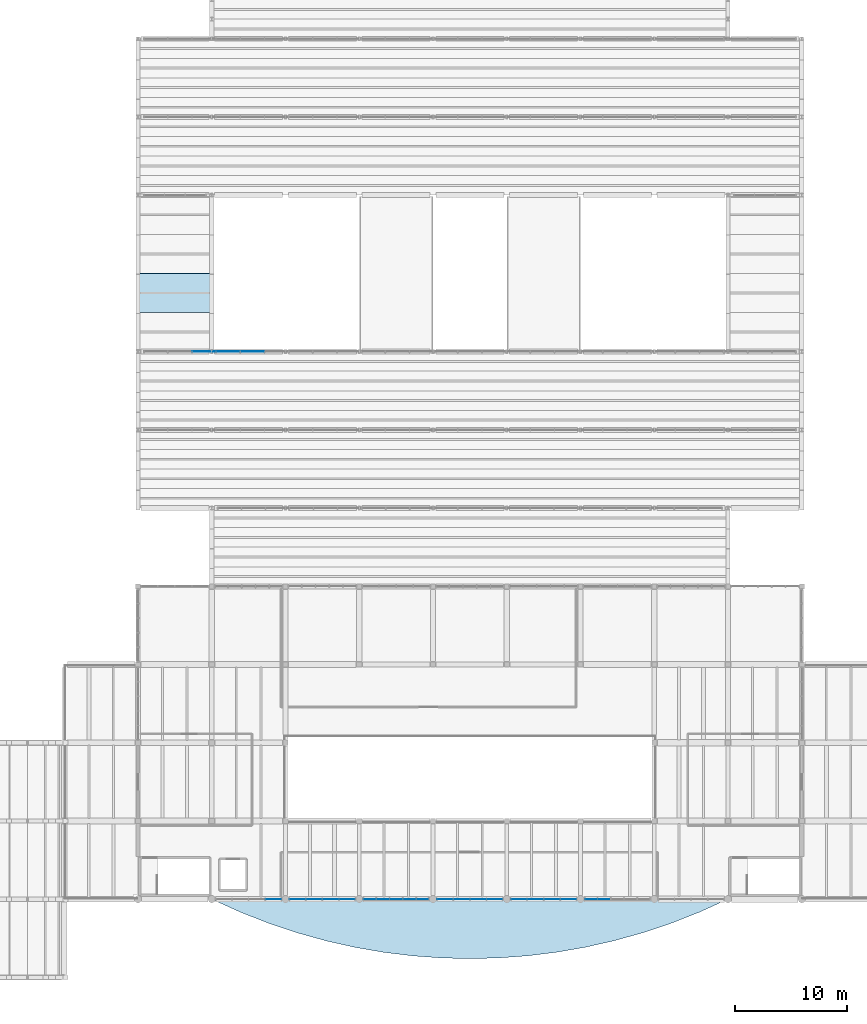
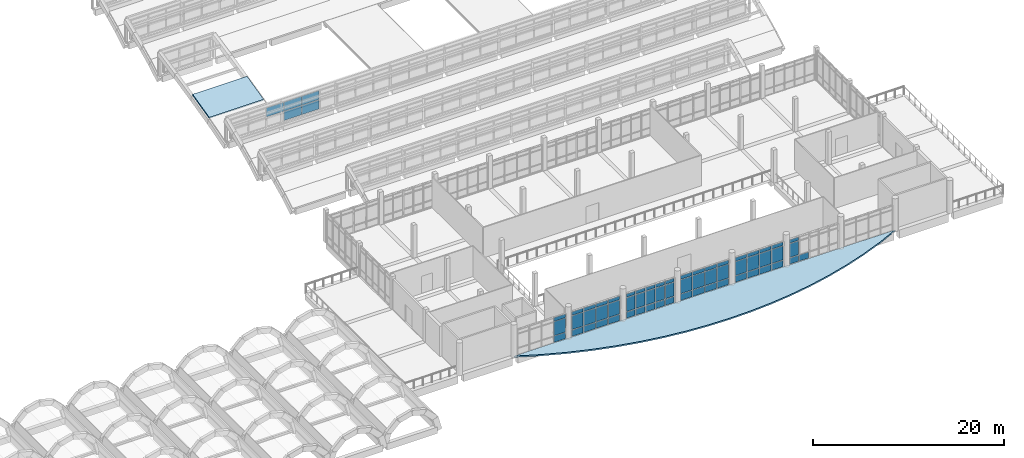
# One storey, part 66 of 92: 63 plates, 2 slabs, 8 elements without a shape of their own.
"""IFC4 building model written with IfcOpenShell, lengths in metres."""

from ifc_helpers import new_model, si_unit, direction, frame, origin, origin_2d, place, context, subcontext, project, spatial, polyline, rectangle, outline, extrude, material, layer, layer_set, type_object, element, aggregate, save


model = new_model("IFC4")

# Units and contexts
model_context = context("Model", 3, precision=1e-05, world=origin(), true_north=direction((0.0, 1.0)))
body_context = subcontext(model_context, "Body", "Model", "MODEL_VIEW")
ifc_project = project(units=[si_unit("LENGTHUNIT", "METRE"), si_unit("AREAUNIT", "SQUARE_METRE"), si_unit("VOLUMEUNIT", "CUBIC_METRE"), si_unit("PLANEANGLEUNIT", "RADIAN"), si_unit("MASSUNIT", "GRAM", prefix="KILO")], contexts=[model_context])

# Site, building, storey
site_placement = place(None, origin())
site = spatial("IfcSite", under=ifc_project, at=site_placement, CompositionType="ELEMENT")
building_placement = place(site_placement, origin())
building = spatial("IfcBuilding", under=site, at=building_placement, Name="Ciguamira Faculty of Natural Sciences", CompositionType="ELEMENT")
storey_placement = place(building_placement, frame((0.0, 0.0, 16.800048828125)))
storey = spatial("IfcBuildingStorey", under=building, at=storey_placement, Name="L04", CompositionType="ELEMENT", Elevation=16.800048828125)

# Curtain wall, plates
ifc_material_1 = material(Name="Anodized aluminium curtain wall", Category="aluminium")
curtain_wall_type_1 = type_object("IfcCurtainWallType", Name="CurtainWall_CW-11", PredefinedType="USERDEFINED", material=ifc_material_1)
curtain_wall_1_placement = place(storey_placement, origin())
curtain_wall_1 = element("IfcCurtainWall", 1, at=curtain_wall_1_placement, inside=storey, type_object=curtain_wall_type_1, Name="L04 unitised curtain wall 0107", ObjectType="UNITISED CURTAIN WALL", PredefinedType="USERDEFINED")
ifc_material_2 = material(Name="Low-E laminated solar glass", Category="glass")
ifc_layer_1 = layer(ifc_material_2, 0.028076171875, Name="Low-E laminated solar glass")
ifc_layer_set_1 = layer_set([ifc_layer_1], Name="Low-E laminated solar glass")
plate_type_1 = type_object("IfcPlateType", Name="CWPanel_CWP-01", PredefinedType="CURTAIN_PANEL", material=ifc_layer_set_1)
plate_1_placement = place(storey_placement, frame((71.586181640625, 10.0, 0.070068359375), z_axis=(0.0, 0.0, 1.0), x_axis=(1.0, 0.0, 0.0)))
plate_1 = element("IfcPlate", 2, at=plate_1_placement, type_object=plate_type_1, Name="CW-11 panel 1.1", PredefinedType="CURTAIN_PANEL", context=body_context, shape_type="SweptSolid", body=[
    extrude(rectangle(XDim=1.382568359375, YDim=0.028076171875, at=origin_2d()), origin(), (0.0, 0.0, 1.0), 0.794921875),
])
plate_2_placement = place(storey_placement, frame((71.586181640625, 10.0, 0.93505859375), z_axis=(0.0, 0.0, 1.0), x_axis=(1.0, 0.0, 0.0)))
plate_2 = element("IfcPlate", 3, at=plate_2_placement, type_object=plate_type_1, Name="CW-11 panel 1.2", PredefinedType="CURTAIN_PANEL", context=body_context, shape_type="SweptSolid", body=[
    extrude(rectangle(XDim=1.382568359375, YDim=0.028076171875, at=origin_2d()), origin(), (0.0, 0.0, 1.0), 1.764892578125),
])
plate_3_placement = place(storey_placement, frame((71.586181640625, 10.0, 2.77001953125), z_axis=(0.0, 0.0, 1.0), x_axis=(1.0, 0.0, 0.0)))
plate_3 = element("IfcPlate", 4, at=plate_3_placement, type_object=plate_type_1, Name="CW-11 panel 1.3", PredefinedType="CURTAIN_PANEL", context=body_context, shape_type="SweptSolid", body=[
    extrude(rectangle(XDim=1.382568359375, YDim=0.028076171875, at=origin_2d()), origin(), (0.0, 0.0, 1.0), 0.445068359375),
])
plate_4_placement = place(storey_placement, frame((73.05615234375, 10.0, 0.070068359375), z_axis=(0.0, 0.0, 1.0), x_axis=(1.0, 0.0, 0.0)))
plate_4 = element("IfcPlate", 5, at=plate_4_placement, type_object=plate_type_1, Name="CW-11 panel 2.1", PredefinedType="CURTAIN_PANEL", context=body_context, shape_type="SweptSolid", body=[
    extrude(rectangle(XDim=1.41748046875, YDim=0.028076171875, at=origin_2d()), origin(), (0.0, 0.0, 1.0), 0.794921875),
])
plate_5_placement = place(storey_placement, frame((73.05615234375, 10.0, 0.93505859375), z_axis=(0.0, 0.0, 1.0), x_axis=(1.0, 0.0, 0.0)))
plate_5 = element("IfcPlate", 6, at=plate_5_placement, type_object=plate_type_1, Name="CW-11 panel 2.2", PredefinedType="CURTAIN_PANEL", context=body_context, shape_type="SweptSolid", body=[
    extrude(rectangle(XDim=1.41748046875, YDim=0.028076171875, at=origin_2d()), origin(), (0.0, 0.0, 1.0), 1.764892578125),
])
plate_6_placement = place(storey_placement, frame((73.05615234375, 10.0, 2.77001953125), z_axis=(0.0, 0.0, 1.0), x_axis=(1.0, 0.0, 0.0)))
plate_6 = element("IfcPlate", 7, at=plate_6_placement, type_object=plate_type_1, Name="CW-11 panel 2.3", PredefinedType="CURTAIN_PANEL", context=body_context, shape_type="SweptSolid", body=[
    extrude(rectangle(XDim=1.41748046875, YDim=0.028076171875, at=origin_2d()), origin(), (0.0, 0.0, 1.0), 0.445068359375),
])
plate_7_placement = place(storey_placement, frame((74.543701171875, 10.0, 0.070068359375), z_axis=(0.0, 0.0, 1.0), x_axis=(1.0, 0.0, 0.0)))
plate_7 = element("IfcPlate", 8, at=plate_7_placement, type_object=plate_type_1, Name="CW-11 panel 3.1", PredefinedType="CURTAIN_PANEL", context=body_context, shape_type="SweptSolid", body=[
    extrude(rectangle(XDim=1.41748046875, YDim=0.028076171875, at=origin_2d()), origin(), (0.0, 0.0, 1.0), 0.794921875),
])
plate_8_placement = place(storey_placement, frame((74.543701171875, 10.0, 0.93505859375), z_axis=(0.0, 0.0, 1.0), x_axis=(1.0, 0.0, 0.0)))
plate_8 = element("IfcPlate", 9, at=plate_8_placement, type_object=plate_type_1, Name="CW-11 panel 3.2", PredefinedType="CURTAIN_PANEL", context=body_context, shape_type="SweptSolid", body=[
    extrude(rectangle(XDim=1.41748046875, YDim=0.028076171875, at=origin_2d()), origin(), (0.0, 0.0, 1.0), 1.764892578125),
])
plate_9_placement = place(storey_placement, frame((74.543701171875, 10.0, 2.77001953125), z_axis=(0.0, 0.0, 1.0), x_axis=(1.0, 0.0, 0.0)))
plate_9 = element("IfcPlate", 10, at=plate_9_placement, type_object=plate_type_1, Name="CW-11 panel 3.3", PredefinedType="CURTAIN_PANEL", context=body_context, shape_type="SweptSolid", body=[
    extrude(rectangle(XDim=1.41748046875, YDim=0.028076171875, at=origin_2d()), origin(), (0.0, 0.0, 1.0), 0.445068359375),
])
plate_10_placement = place(storey_placement, frame((76.013671875, 10.0, 0.070068359375), z_axis=(0.0, 0.0, 1.0), x_axis=(1.0, 0.0, 0.0)))
plate_10 = element("IfcPlate", 11, at=plate_10_placement, type_object=plate_type_1, Name="CW-11 panel 4.1", PredefinedType="CURTAIN_PANEL", context=body_context, shape_type="SweptSolid", body=[
    extrude(rectangle(XDim=1.382568359375, YDim=0.028076171875, at=origin_2d()), origin(), (0.0, 0.0, 1.0), 0.794921875),
])
plate_11_placement = place(storey_placement, frame((76.013671875, 10.0, 0.93505859375), z_axis=(0.0, 0.0, 1.0), x_axis=(1.0, 0.0, 0.0)))
plate_11 = element("IfcPlate", 12, at=plate_11_placement, type_object=plate_type_1, Name="CW-11 panel 4.2", PredefinedType="CURTAIN_PANEL", context=body_context, shape_type="SweptSolid", body=[
    extrude(rectangle(XDim=1.382568359375, YDim=0.028076171875, at=origin_2d()), origin(), (0.0, 0.0, 1.0), 1.764892578125),
])
plate_12_placement = place(storey_placement, frame((76.013671875, 10.0, 2.77001953125), z_axis=(0.0, 0.0, 1.0), x_axis=(1.0, 0.0, 0.0)))
plate_12 = element("IfcPlate", 13, at=plate_12_placement, type_object=plate_type_1, Name="CW-11 panel 4.3", PredefinedType="CURTAIN_PANEL", context=body_context, shape_type="SweptSolid", body=[
    extrude(rectangle(XDim=1.382568359375, YDim=0.028076171875, at=origin_2d()), origin(), (0.0, 0.0, 1.0), 0.445068359375),
])
aggregate(curtain_wall_1, [plate_1, plate_2, plate_3, plate_4, plate_5, plate_6, plate_7, plate_8, plate_9, plate_10, plate_11, plate_12])

curtain_wall_type_2 = type_object("IfcCurtainWallType", Name="CurtainWall_CW-01", PredefinedType="USERDEFINED", material=ifc_material_1)
curtain_wall_2_placement = place(storey_placement, origin())
curtain_wall_2 = element("IfcCurtainWall", 14, at=curtain_wall_2_placement, inside=storey, type_object=curtain_wall_type_2, Name="L04 unitised curtain wall 0109", ObjectType="UNITISED CURTAIN WALL", PredefinedType="USERDEFINED")
plate_13_placement = place(storey_placement, frame((84.78369140625, 10.0, 0.059814453125), z_axis=(0.0, 0.0, 1.0), x_axis=(1.0, 0.0, 0.0)))
plate_13 = element("IfcPlate", 15, at=plate_13_placement, type_object=plate_type_1, Name="CW-01 panel 1.1", PredefinedType="CURTAIN_PANEL", context=body_context, shape_type="SweptSolid", body=[
    extrude(rectangle(XDim=1.3974609375, YDim=0.028076171875, at=origin_2d()), origin(), (0.0, 0.0, 1.0), 0.81005859375),
])
plate_14_placement = place(storey_placement, frame((84.78369140625, 10.0, 0.929931640625), z_axis=(0.0, 0.0, 1.0), x_axis=(1.0, 0.0, 0.0)))
plate_14 = element("IfcPlate", 16, at=plate_14_placement, type_object=plate_type_1, Name="CW-01 panel 1.2", PredefinedType="CURTAIN_PANEL", context=body_context, shape_type="SweptSolid", body=[
    extrude(rectangle(XDim=1.3974609375, YDim=0.028076171875, at=origin_2d()), origin(), (0.0, 0.0, 1.0), 1.77490234375),
])
plate_15_placement = place(storey_placement, frame((84.78369140625, 10.0, 2.764892578125), z_axis=(0.0, 0.0, 1.0), x_axis=(1.0, 0.0, 0.0)))
plate_15 = element("IfcPlate", 17, at=plate_15_placement, type_object=plate_type_1, Name="CW-01 panel 1.3", PredefinedType="CURTAIN_PANEL", context=body_context, shape_type="SweptSolid", body=[
    extrude(rectangle(XDim=1.3974609375, YDim=0.028076171875, at=origin_2d()), origin(), (0.0, 0.0, 1.0), 0.4599609375),
])
plate_16_placement = place(storey_placement, frame((86.25634765625, 10.0, 0.059814453125), z_axis=(0.0, 0.0, 1.0), x_axis=(1.0, 0.0, 0.0)))
plate_16 = element("IfcPlate", 18, at=plate_16_placement, type_object=plate_type_1, Name="CW-01 panel 2.1", PredefinedType="CURTAIN_PANEL", context=body_context, shape_type="SweptSolid", body=[
    extrude(rectangle(XDim=1.427490234375, YDim=0.028076171875, at=origin_2d()), origin(), (0.0, 0.0, 1.0), 0.81005859375),
])
plate_17_placement = place(storey_placement, frame((86.25634765625, 10.0, 0.929931640625), z_axis=(0.0, 0.0, 1.0), x_axis=(1.0, 0.0, 0.0)))
plate_17 = element("IfcPlate", 19, at=plate_17_placement, type_object=plate_type_1, Name="CW-01 panel 2.2", PredefinedType="CURTAIN_PANEL", context=body_context, shape_type="SweptSolid", body=[
    extrude(rectangle(XDim=1.427490234375, YDim=0.028076171875, at=origin_2d()), origin(), (0.0, 0.0, 1.0), 1.77490234375),
])
plate_18_placement = place(storey_placement, frame((86.25634765625, 10.0, 2.764892578125), z_axis=(0.0, 0.0, 1.0), x_axis=(1.0, 0.0, 0.0)))
plate_18 = element("IfcPlate", 20, at=plate_18_placement, type_object=plate_type_1, Name="CW-01 panel 2.3", PredefinedType="CURTAIN_PANEL", context=body_context, shape_type="SweptSolid", body=[
    extrude(rectangle(XDim=1.427490234375, YDim=0.028076171875, at=origin_2d()), origin(), (0.0, 0.0, 1.0), 0.4599609375),
])
plate_19_placement = place(storey_placement, frame((87.74365234375, 10.0, 0.059814453125), z_axis=(0.0, 0.0, 1.0), x_axis=(1.0, 0.0, 0.0)))
plate_19 = element("IfcPlate", 21, at=plate_19_placement, type_object=plate_type_1, Name="CW-01 panel 3.1", PredefinedType="CURTAIN_PANEL", context=body_context, shape_type="SweptSolid", body=[
    extrude(rectangle(XDim=1.427490234375, YDim=0.028076171875, at=origin_2d()), origin(), (0.0, 0.0, 1.0), 0.81005859375),
])
plate_20_placement = place(storey_placement, frame((87.74365234375, 10.0, 0.929931640625), z_axis=(0.0, 0.0, 1.0), x_axis=(1.0, 0.0, 0.0)))
plate_20 = element("IfcPlate", 22, at=plate_20_placement, type_object=plate_type_1, Name="CW-01 panel 3.2", PredefinedType="CURTAIN_PANEL", context=body_context, shape_type="SweptSolid", body=[
    extrude(rectangle(XDim=1.427490234375, YDim=0.028076171875, at=origin_2d()), origin(), (0.0, 0.0, 1.0), 1.77490234375),
])
plate_21_placement = place(storey_placement, frame((87.74365234375, 10.0, 2.764892578125), z_axis=(0.0, 0.0, 1.0), x_axis=(1.0, 0.0, 0.0)))
plate_21 = element("IfcPlate", 23, at=plate_21_placement, type_object=plate_type_1, Name="CW-01 panel 3.3", PredefinedType="CURTAIN_PANEL", context=body_context, shape_type="SweptSolid", body=[
    extrude(rectangle(XDim=1.427490234375, YDim=0.028076171875, at=origin_2d()), origin(), (0.0, 0.0, 1.0), 0.4599609375),
])
plate_22_placement = place(storey_placement, frame((89.21630859375, 10.0, 0.059814453125), z_axis=(0.0, 0.0, 1.0), x_axis=(1.0, 0.0, 0.0)))
plate_22 = element("IfcPlate", 24, at=plate_22_placement, type_object=plate_type_1, Name="CW-01 panel 4.1", PredefinedType="CURTAIN_PANEL", context=body_context, shape_type="SweptSolid", body=[
    extrude(rectangle(XDim=1.3974609375, YDim=0.028076171875, at=origin_2d()), origin(), (0.0, 0.0, 1.0), 0.81005859375),
])
plate_23_placement = place(storey_placement, frame((89.21630859375, 10.0, 0.929931640625), z_axis=(0.0, 0.0, 1.0), x_axis=(1.0, 0.0, 0.0)))
plate_23 = element("IfcPlate", 25, at=plate_23_placement, type_object=plate_type_1, Name="CW-01 panel 4.2", PredefinedType="CURTAIN_PANEL", context=body_context, shape_type="SweptSolid", body=[
    extrude(rectangle(XDim=1.3974609375, YDim=0.028076171875, at=origin_2d()), origin(), (0.0, 0.0, 1.0), 1.77490234375),
])
plate_24_placement = place(storey_placement, frame((89.21630859375, 10.0, 2.764892578125), z_axis=(0.0, 0.0, 1.0), x_axis=(1.0, 0.0, 0.0)))
plate_24 = element("IfcPlate", 26, at=plate_24_placement, type_object=plate_type_1, Name="CW-01 panel 4.3", PredefinedType="CURTAIN_PANEL", context=body_context, shape_type="SweptSolid", body=[
    extrude(rectangle(XDim=1.3974609375, YDim=0.028076171875, at=origin_2d()), origin(), (0.0, 0.0, 1.0), 0.4599609375),
])
aggregate(curtain_wall_2, [plate_13, plate_14, plate_15, plate_16, plate_17, plate_18, plate_19, plate_20, plate_21, plate_22, plate_23, plate_24])

curtain_wall_type_3 = type_object("IfcCurtainWallType", Name="CurtainWall_CW-03", PredefinedType="USERDEFINED", material=ifc_material_1)
curtain_wall_3_placement = place(storey_placement, origin())
curtain_wall_3 = element("IfcCurtainWall", 27, at=curtain_wall_3_placement, inside=storey, type_object=curtain_wall_type_3, Name="L04 unitised curtain wall 0111", ObjectType="UNITISED CURTAIN WALL", PredefinedType="USERDEFINED")
plate_25_placement = place(storey_placement, frame((97.840087890625, 10.0, 0.080078125), z_axis=(0.0, 0.0, 1.0), x_axis=(1.0, 0.0, 0.0)))
plate_25 = element("IfcPlate", 28, at=plate_25_placement, type_object=plate_type_1, Name="CW-03 panel 1.1", PredefinedType="CURTAIN_PANEL", context=body_context, shape_type="SweptSolid", body=[
    extrude(rectangle(XDim=1.070068359375, YDim=0.028076171875, at=origin_2d()), origin(), (0.0, 0.0, 1.0), 0.780029296875),
])
plate_26_placement = place(storey_placement, frame((97.840087890625, 10.0, 0.93994140625), z_axis=(0.0, 0.0, 1.0), x_axis=(1.0, 0.0, 0.0)))
plate_26 = element("IfcPlate", 29, at=plate_26_placement, type_object=plate_type_1, Name="CW-03 panel 1.2", PredefinedType="CURTAIN_PANEL", context=body_context, shape_type="SweptSolid", body=[
    extrude(rectangle(XDim=1.070068359375, YDim=0.028076171875, at=origin_2d()), origin(), (0.0, 0.0, 1.0), 1.7548828125),
])
plate_27_placement = place(storey_placement, frame((97.840087890625, 10.0, 2.77490234375), z_axis=(0.0, 0.0, 1.0), x_axis=(1.0, 0.0, 0.0)))
plate_27 = element("IfcPlate", 30, at=plate_27_placement, type_object=plate_type_1, Name="CW-03 panel 1.3", PredefinedType="CURTAIN_PANEL", context=body_context, shape_type="SweptSolid", body=[
    extrude(rectangle(XDim=1.070068359375, YDim=0.028076171875, at=origin_2d()), origin(), (0.0, 0.0, 1.0), 0.429931640625),
])
plate_28_placement = place(storey_placement, frame((99.010009765625, 10.0, 0.080078125), z_axis=(0.0, 0.0, 1.0), x_axis=(1.0, 0.0, 0.0)))
plate_28 = element("IfcPlate", 31, at=plate_28_placement, type_object=plate_type_1, Name="CW-03 panel 2.1", PredefinedType="CURTAIN_PANEL", context=body_context, shape_type="SweptSolid", body=[
    extrude(rectangle(XDim=1.110107421875, YDim=0.028076171875, at=origin_2d()), origin(), (0.0, 0.0, 1.0), 0.780029296875),
])
aggregate(curtain_wall_3, [plate_25, plate_26, plate_27, plate_28])

curtain_wall_type_4 = type_object("IfcCurtainWallType", Name="CurtainWall_CW-10", PredefinedType="USERDEFINED", material=ifc_material_1)
curtain_wall_4_placement = place(storey_placement, origin())
curtain_wall_4 = element("IfcCurtainWall", 32, at=curtain_wall_4_placement, inside=storey, type_object=curtain_wall_type_4, Name="L04 unitised curtain wall 0106", ObjectType="UNITISED CURTAIN WALL", PredefinedType="USERDEFINED")
ifc_layer_2 = layer(ifc_material_2, 0.035888671875, Name="Low-E laminated solar glass")
ifc_layer_set_2 = layer_set([ifc_layer_2], Name="Low-E laminated solar glass")
plate_type_2 = type_object("IfcPlateType", Name="CWPanel_CWP-02", PredefinedType="CURTAIN_PANEL", material=ifc_layer_set_2)
plate_29_placement = place(storey_placement, frame((69.416259765625, 10.0, 0.059814453125), z_axis=(0.0, 0.0, 1.0), x_axis=(1.0, 0.0, 0.0)))
plate_29 = element("IfcPlate", 33, at=plate_29_placement, type_object=plate_type_2, Name="CW-10 panel 4.1", PredefinedType="CURTAIN_PANEL", context=body_context, shape_type="SweptSolid", body=[
    extrude(rectangle(XDim=1.3974609375, YDim=0.035888671875, at=origin_2d()), origin(), (0.0, 0.0, 1.0), 0.81005859375),
])
plate_30_placement = place(storey_placement, frame((69.416259765625, 10.0, 0.929931640625), z_axis=(0.0, 0.0, 1.0), x_axis=(1.0, 0.0, 0.0)))
plate_30 = element("IfcPlate", 34, at=plate_30_placement, type_object=plate_type_2, Name="CW-10 panel 4.2", PredefinedType="CURTAIN_PANEL", context=body_context, shape_type="SweptSolid", body=[
    extrude(rectangle(XDim=1.3974609375, YDim=0.035888671875, at=origin_2d()), origin(), (0.0, 0.0, 1.0), 1.77490234375),
])
plate_31_placement = place(storey_placement, frame((69.416259765625, 10.0, 2.764892578125), z_axis=(0.0, 0.0, 1.0), x_axis=(1.0, 0.0, 0.0)))
plate_31 = element("IfcPlate", 35, at=plate_31_placement, type_object=plate_type_2, Name="CW-10 panel 4.3", PredefinedType="CURTAIN_PANEL", context=body_context, shape_type="SweptSolid", body=[
    extrude(rectangle(XDim=1.3974609375, YDim=0.035888671875, at=origin_2d()), origin(), (0.0, 0.0, 1.0), 0.4599609375),
])
aggregate(curtain_wall_4, [plate_29, plate_30, plate_31])

curtain_wall_type_5 = type_object("IfcCurtainWallType", Name="CurtainWall_CW-12", PredefinedType="USERDEFINED", material=ifc_material_1)
curtain_wall_5_placement = place(storey_placement, origin())
curtain_wall_5 = element("IfcCurtainWall", 36, at=curtain_wall_5_placement, inside=storey, type_object=curtain_wall_type_5, Name="L04 unitised curtain wall 0108", ObjectType="UNITISED CURTAIN WALL", PredefinedType="USERDEFINED")
plate_32_placement = place(storey_placement, frame((78.0400390625, 10.0, 0.080078125), z_axis=(0.0, 0.0, 1.0), x_axis=(1.0, 0.0, 0.0)))
plate_32 = element("IfcPlate", 37, at=plate_32_placement, type_object=plate_type_2, Name="CW-12 panel 1.1", PredefinedType="CURTAIN_PANEL", context=body_context, shape_type="SweptSolid", body=[
    extrude(rectangle(XDim=1.070068359375, YDim=0.035888671875, at=origin_2d()), origin(), (0.0, 0.0, 1.0), 0.780029296875),
])
plate_33_placement = place(storey_placement, frame((78.0400390625, 10.0, 0.93994140625), z_axis=(0.0, 0.0, 1.0), x_axis=(1.0, 0.0, 0.0)))
plate_33 = element("IfcPlate", 38, at=plate_33_placement, type_object=plate_type_2, Name="CW-12 panel 1.2", PredefinedType="CURTAIN_PANEL", context=body_context, shape_type="SweptSolid", body=[
    extrude(rectangle(XDim=1.070068359375, YDim=0.035888671875, at=origin_2d()), origin(), (0.0, 0.0, 1.0), 1.7548828125),
])
plate_34_placement = place(storey_placement, frame((78.0400390625, 10.0, 2.77490234375), z_axis=(0.0, 0.0, 1.0), x_axis=(1.0, 0.0, 0.0)))
plate_34 = element("IfcPlate", 39, at=plate_34_placement, type_object=plate_type_2, Name="CW-12 panel 1.3", PredefinedType="CURTAIN_PANEL", context=body_context, shape_type="SweptSolid", body=[
    extrude(rectangle(XDim=1.070068359375, YDim=0.035888671875, at=origin_2d()), origin(), (0.0, 0.0, 1.0), 0.429931640625),
])
plate_35_placement = place(storey_placement, frame((79.2099609375, 10.0, 0.080078125), z_axis=(0.0, 0.0, 1.0), x_axis=(1.0, 0.0, 0.0)))
plate_35 = element("IfcPlate", 40, at=plate_35_placement, type_object=plate_type_2, Name="CW-12 panel 2.1", PredefinedType="CURTAIN_PANEL", context=body_context, shape_type="SweptSolid", body=[
    extrude(rectangle(XDim=1.110107421875, YDim=0.035888671875, at=origin_2d()), origin(), (0.0, 0.0, 1.0), 0.780029296875),
])
plate_36_placement = place(storey_placement, frame((79.2099609375, 10.0, 0.93994140625), z_axis=(0.0, 0.0, 1.0), x_axis=(1.0, 0.0, 0.0)))
plate_36 = element("IfcPlate", 41, at=plate_36_placement, type_object=plate_type_2, Name="CW-12 panel 2.2", PredefinedType="CURTAIN_PANEL", context=body_context, shape_type="SweptSolid", body=[
    extrude(rectangle(XDim=1.110107421875, YDim=0.035888671875, at=origin_2d()), origin(), (0.0, 0.0, 1.0), 1.7548828125),
])
plate_37_placement = place(storey_placement, frame((79.2099609375, 10.0, 2.77490234375), z_axis=(0.0, 0.0, 1.0), x_axis=(1.0, 0.0, 0.0)))
plate_37 = element("IfcPlate", 42, at=plate_37_placement, type_object=plate_type_2, Name="CW-12 panel 2.3", PredefinedType="CURTAIN_PANEL", context=body_context, shape_type="SweptSolid", body=[
    extrude(rectangle(XDim=1.110107421875, YDim=0.035888671875, at=origin_2d()), origin(), (0.0, 0.0, 1.0), 0.429931640625),
])
plate_38_placement = place(storey_placement, frame((80.39990234375, 10.0, 0.080078125), z_axis=(0.0, 0.0, 1.0), x_axis=(1.0, 0.0, 0.0)))
plate_38 = element("IfcPlate", 43, at=plate_38_placement, type_object=plate_type_2, Name="CW-12 panel 3.1", PredefinedType="CURTAIN_PANEL", context=body_context, shape_type="SweptSolid", body=[
    extrude(rectangle(XDim=1.110107421875, YDim=0.035888671875, at=origin_2d()), origin(), (0.0, 0.0, 1.0), 0.780029296875),
])
plate_39_placement = place(storey_placement, frame((80.39990234375, 10.0, 0.93994140625), z_axis=(0.0, 0.0, 1.0), x_axis=(1.0, 0.0, 0.0)))
plate_39 = element("IfcPlate", 44, at=plate_39_placement, type_object=plate_type_2, Name="CW-12 panel 3.2", PredefinedType="CURTAIN_PANEL", context=body_context, shape_type="SweptSolid", body=[
    extrude(rectangle(XDim=1.110107421875, YDim=0.035888671875, at=origin_2d()), origin(), (0.0, 0.0, 1.0), 1.7548828125),
])
plate_40_placement = place(storey_placement, frame((80.39990234375, 10.0, 2.77490234375), z_axis=(0.0, 0.0, 1.0), x_axis=(1.0, 0.0, 0.0)))
plate_40 = element("IfcPlate", 45, at=plate_40_placement, type_object=plate_type_2, Name="CW-12 panel 3.3", PredefinedType="CURTAIN_PANEL", context=body_context, shape_type="SweptSolid", body=[
    extrude(rectangle(XDim=1.110107421875, YDim=0.035888671875, at=origin_2d()), origin(), (0.0, 0.0, 1.0), 0.429931640625),
])
plate_41_placement = place(storey_placement, frame((81.590087890625, 10.0, 0.080078125), z_axis=(0.0, 0.0, 1.0), x_axis=(1.0, 0.0, 0.0)))
plate_41 = element("IfcPlate", 46, at=plate_41_placement, type_object=plate_type_2, Name="CW-12 panel 4.1", PredefinedType="CURTAIN_PANEL", context=body_context, shape_type="SweptSolid", body=[
    extrude(rectangle(XDim=1.110107421875, YDim=0.035888671875, at=origin_2d()), origin(), (0.0, 0.0, 1.0), 0.780029296875),
])
plate_42_placement = place(storey_placement, frame((81.590087890625, 10.0, 0.93994140625), z_axis=(0.0, 0.0, 1.0), x_axis=(1.0, 0.0, 0.0)))
plate_42 = element("IfcPlate", 47, at=plate_42_placement, type_object=plate_type_2, Name="CW-12 panel 4.2", PredefinedType="CURTAIN_PANEL", context=body_context, shape_type="SweptSolid", body=[
    extrude(rectangle(XDim=1.110107421875, YDim=0.035888671875, at=origin_2d()), origin(), (0.0, 0.0, 1.0), 1.7548828125),
])
plate_43_placement = place(storey_placement, frame((81.590087890625, 10.0, 2.77490234375), z_axis=(0.0, 0.0, 1.0), x_axis=(1.0, 0.0, 0.0)))
plate_43 = element("IfcPlate", 48, at=plate_43_placement, type_object=plate_type_2, Name="CW-12 panel 4.3", PredefinedType="CURTAIN_PANEL", context=body_context, shape_type="SweptSolid", body=[
    extrude(rectangle(XDim=1.110107421875, YDim=0.035888671875, at=origin_2d()), origin(), (0.0, 0.0, 1.0), 0.429931640625),
])
plate_44_placement = place(storey_placement, frame((82.760009765625, 10.0, 0.080078125), z_axis=(0.0, 0.0, 1.0), x_axis=(1.0, 0.0, 0.0)))
plate_44 = element("IfcPlate", 49, at=plate_44_placement, type_object=plate_type_2, Name="CW-12 panel 5.1", PredefinedType="CURTAIN_PANEL", context=body_context, shape_type="SweptSolid", body=[
    extrude(rectangle(XDim=1.070068359375, YDim=0.035888671875, at=origin_2d()), origin(), (0.0, 0.0, 1.0), 0.780029296875),
])
plate_45_placement = place(storey_placement, frame((82.760009765625, 10.0, 0.93994140625), z_axis=(0.0, 0.0, 1.0), x_axis=(1.0, 0.0, 0.0)))
plate_45 = element("IfcPlate", 50, at=plate_45_placement, type_object=plate_type_2, Name="CW-12 panel 5.2", PredefinedType="CURTAIN_PANEL", context=body_context, shape_type="SweptSolid", body=[
    extrude(rectangle(XDim=1.070068359375, YDim=0.035888671875, at=origin_2d()), origin(), (0.0, 0.0, 1.0), 1.7548828125),
])
plate_46_placement = place(storey_placement, frame((82.760009765625, 10.0, 2.77490234375), z_axis=(0.0, 0.0, 1.0), x_axis=(1.0, 0.0, 0.0)))
plate_46 = element("IfcPlate", 51, at=plate_46_placement, type_object=plate_type_2, Name="CW-12 panel 5.3", PredefinedType="CURTAIN_PANEL", context=body_context, shape_type="SweptSolid", body=[
    extrude(rectangle(XDim=1.070068359375, YDim=0.035888671875, at=origin_2d()), origin(), (0.0, 0.0, 1.0), 0.429931640625),
])
aggregate(curtain_wall_5, [plate_32, plate_33, plate_34, plate_35, plate_36, plate_37, plate_38, plate_39, plate_40, plate_41, plate_42, plate_43, plate_44, plate_45, plate_46])

curtain_wall_type_6 = type_object("IfcCurtainWallType", Name="CurtainWall_CW-02", PredefinedType="USERDEFINED", material=ifc_material_1)
curtain_wall_6_placement = place(storey_placement, origin())
curtain_wall_6 = element("IfcCurtainWall", 52, at=curtain_wall_6_placement, inside=storey, type_object=curtain_wall_type_6, Name="L04 unitised curtain wall 0110", ObjectType="UNITISED CURTAIN WALL", PredefinedType="USERDEFINED")
plate_47_placement = place(storey_placement, frame((91.38623046875, 10.0, 0.070068359375), z_axis=(0.0, 0.0, 1.0), x_axis=(1.0, 0.0, 0.0)))
plate_47 = element("IfcPlate", 53, at=plate_47_placement, type_object=plate_type_2, Name="CW-02 panel 1.1", PredefinedType="CURTAIN_PANEL", context=body_context, shape_type="SweptSolid", body=[
    extrude(rectangle(XDim=1.382568359375, YDim=0.035888671875, at=origin_2d()), origin(), (0.0, 0.0, 1.0), 0.794921875),
])
plate_48_placement = place(storey_placement, frame((91.38623046875, 10.0, 0.93505859375), z_axis=(0.0, 0.0, 1.0), x_axis=(1.0, 0.0, 0.0)))
plate_48 = element("IfcPlate", 54, at=plate_48_placement, type_object=plate_type_2, Name="CW-02 panel 1.2", PredefinedType="CURTAIN_PANEL", context=body_context, shape_type="SweptSolid", body=[
    extrude(rectangle(XDim=1.382568359375, YDim=0.035888671875, at=origin_2d()), origin(), (0.0, 0.0, 1.0), 1.764892578125),
])
plate_49_placement = place(storey_placement, frame((91.38623046875, 10.0, 2.77001953125), z_axis=(0.0, 0.0, 1.0), x_axis=(1.0, 0.0, 0.0)))
plate_49 = element("IfcPlate", 55, at=plate_49_placement, type_object=plate_type_2, Name="CW-02 panel 1.3", PredefinedType="CURTAIN_PANEL", context=body_context, shape_type="SweptSolid", body=[
    extrude(rectangle(XDim=1.382568359375, YDim=0.035888671875, at=origin_2d()), origin(), (0.0, 0.0, 1.0), 0.445068359375),
])
plate_50_placement = place(storey_placement, frame((92.856201171875, 10.0, 0.070068359375), z_axis=(0.0, 0.0, 1.0), x_axis=(1.0, 0.0, 0.0)))
plate_50 = element("IfcPlate", 56, at=plate_50_placement, type_object=plate_type_2, Name="CW-02 panel 2.1", PredefinedType="CURTAIN_PANEL", context=body_context, shape_type="SweptSolid", body=[
    extrude(rectangle(XDim=1.41748046875, YDim=0.035888671875, at=origin_2d()), origin(), (0.0, 0.0, 1.0), 0.794921875),
])
plate_51_placement = place(storey_placement, frame((92.856201171875, 10.0, 0.93505859375), z_axis=(0.0, 0.0, 1.0), x_axis=(1.0, 0.0, 0.0)))
plate_51 = element("IfcPlate", 57, at=plate_51_placement, type_object=plate_type_2, Name="CW-02 panel 2.2", PredefinedType="CURTAIN_PANEL", context=body_context, shape_type="SweptSolid", body=[
    extrude(rectangle(XDim=1.41748046875, YDim=0.035888671875, at=origin_2d()), origin(), (0.0, 0.0, 1.0), 1.764892578125),
])
plate_52_placement = place(storey_placement, frame((92.856201171875, 10.0, 2.77001953125), z_axis=(0.0, 0.0, 1.0), x_axis=(1.0, 0.0, 0.0)))
plate_52 = element("IfcPlate", 58, at=plate_52_placement, type_object=plate_type_2, Name="CW-02 panel 2.3", PredefinedType="CURTAIN_PANEL", context=body_context, shape_type="SweptSolid", body=[
    extrude(rectangle(XDim=1.41748046875, YDim=0.035888671875, at=origin_2d()), origin(), (0.0, 0.0, 1.0), 0.445068359375),
])
plate_53_placement = place(storey_placement, frame((94.34375, 10.0, 0.070068359375), z_axis=(0.0, 0.0, 1.0), x_axis=(1.0, 0.0, 0.0)))
plate_53 = element("IfcPlate", 59, at=plate_53_placement, type_object=plate_type_2, Name="CW-02 panel 3.1", PredefinedType="CURTAIN_PANEL", context=body_context, shape_type="SweptSolid", body=[
    extrude(rectangle(XDim=1.41748046875, YDim=0.035888671875, at=origin_2d()), origin(), (0.0, 0.0, 1.0), 0.794921875),
])
plate_54_placement = place(storey_placement, frame((94.34375, 10.0, 0.93505859375), z_axis=(0.0, 0.0, 1.0), x_axis=(1.0, 0.0, 0.0)))
plate_54 = element("IfcPlate", 60, at=plate_54_placement, type_object=plate_type_2, Name="CW-02 panel 3.2", PredefinedType="CURTAIN_PANEL", context=body_context, shape_type="SweptSolid", body=[
    extrude(rectangle(XDim=1.41748046875, YDim=0.035888671875, at=origin_2d()), origin(), (0.0, 0.0, 1.0), 1.764892578125),
])
plate_55_placement = place(storey_placement, frame((94.34375, 10.0, 2.77001953125), z_axis=(0.0, 0.0, 1.0), x_axis=(1.0, 0.0, 0.0)))
plate_55 = element("IfcPlate", 61, at=plate_55_placement, type_object=plate_type_2, Name="CW-02 panel 3.3", PredefinedType="CURTAIN_PANEL", context=body_context, shape_type="SweptSolid", body=[
    extrude(rectangle(XDim=1.41748046875, YDim=0.035888671875, at=origin_2d()), origin(), (0.0, 0.0, 1.0), 0.445068359375),
])
plate_56_placement = place(storey_placement, frame((95.813720703125, 10.0, 0.070068359375), z_axis=(0.0, 0.0, 1.0), x_axis=(1.0, 0.0, 0.0)))
plate_56 = element("IfcPlate", 62, at=plate_56_placement, type_object=plate_type_2, Name="CW-02 panel 4.1", PredefinedType="CURTAIN_PANEL", context=body_context, shape_type="SweptSolid", body=[
    extrude(rectangle(XDim=1.382568359375, YDim=0.035888671875, at=origin_2d()), origin(), (0.0, 0.0, 1.0), 0.794921875),
])
plate_57_placement = place(storey_placement, frame((95.813720703125, 10.0, 0.93505859375), z_axis=(0.0, 0.0, 1.0), x_axis=(1.0, 0.0, 0.0)))
plate_57 = element("IfcPlate", 63, at=plate_57_placement, type_object=plate_type_2, Name="CW-02 panel 4.2", PredefinedType="CURTAIN_PANEL", context=body_context, shape_type="SweptSolid", body=[
    extrude(rectangle(XDim=1.382568359375, YDim=0.035888671875, at=origin_2d()), origin(), (0.0, 0.0, 1.0), 1.764892578125),
])
plate_58_placement = place(storey_placement, frame((95.813720703125, 10.0, 2.77001953125), z_axis=(0.0, 0.0, 1.0), x_axis=(1.0, 0.0, 0.0)))
plate_58 = element("IfcPlate", 64, at=plate_58_placement, type_object=plate_type_2, Name="CW-02 panel 4.3", PredefinedType="CURTAIN_PANEL", context=body_context, shape_type="SweptSolid", body=[
    extrude(rectangle(XDim=1.382568359375, YDim=0.035888671875, at=origin_2d()), origin(), (0.0, 0.0, 1.0), 0.445068359375),
])
aggregate(curtain_wall_6, [plate_47, plate_48, plate_49, plate_50, plate_51, plate_52, plate_53, plate_54, plate_55, plate_56, plate_57, plate_58])

curtain_wall_type_7 = type_object("IfcCurtainWallType", Name="CurtainWall_CW-04", PredefinedType="USERDEFINED", material=ifc_material_1)
curtain_wall_7_placement = place(storey_placement, origin())
curtain_wall_7 = element("IfcCurtainWall", 65, at=curtain_wall_7_placement, inside=storey, type_object=curtain_wall_type_7, Name="V4 north-light wave 3 clerestory glazing 1", ObjectType="UNITISED CURTAIN WALL", PredefinedType="USERDEFINED")
plate_59_placement = place(storey_placement, frame((63.20751953125, 59.0, 1.534912109375), z_axis=(0.0, 0.0, 1.0), x_axis=(1.0, 0.0, 0.0)))
plate_59 = element("IfcPlate", 66, at=plate_59_placement, type_object=plate_type_2, Name="CW-04 panel 3.2", PredefinedType="CURTAIN_PANEL", context=body_context, shape_type="SweptSolid", body=[
    extrude(rectangle(XDim=2.093017578125, YDim=0.035888671875, at=origin_2d()), origin(), (0.0, 0.0, 1.0), 1.14501953125),
])
plate_60_placement = place(storey_placement, frame((65.370361328125, 59.0, 0.31982421875), z_axis=(0.0, 0.0, 1.0), x_axis=(1.0, 0.0, 0.0)))
plate_60 = element("IfcPlate", 67, at=plate_60_placement, type_object=plate_type_2, Name="CW-04 panel 4.1", PredefinedType="CURTAIN_PANEL", context=body_context, shape_type="SweptSolid", body=[
    extrude(rectangle(XDim=2.093017578125, YDim=0.035888671875, at=origin_2d()), origin(), (0.0, 0.0, 1.0), 1.14501953125),
])
plate_61_placement = place(storey_placement, frame((65.370361328125, 59.0, 1.534912109375), z_axis=(0.0, 0.0, 1.0), x_axis=(1.0, 0.0, 0.0)))
plate_61 = element("IfcPlate", 68, at=plate_61_placement, type_object=plate_type_2, Name="CW-04 panel 4.2", PredefinedType="CURTAIN_PANEL", context=body_context, shape_type="SweptSolid", body=[
    extrude(rectangle(XDim=2.093017578125, YDim=0.035888671875, at=origin_2d()), origin(), (0.0, 0.0, 1.0), 1.14501953125),
])
plate_62_placement = place(storey_placement, frame((67.533447265625, 59.0, 0.31982421875), z_axis=(0.0, 0.0, 1.0), x_axis=(1.0, 0.0, 0.0)))
plate_62 = element("IfcPlate", 69, at=plate_62_placement, type_object=plate_type_2, Name="CW-04 panel 5.1", PredefinedType="CURTAIN_PANEL", context=body_context, shape_type="SweptSolid", body=[
    extrude(rectangle(XDim=2.093017578125, YDim=0.035888671875, at=origin_2d()), origin(), (0.0, 0.0, 1.0), 1.14501953125),
])
plate_63_placement = place(storey_placement, frame((67.533447265625, 59.0, 1.534912109375), z_axis=(0.0, 0.0, 1.0), x_axis=(1.0, 0.0, 0.0)))
plate_63 = element("IfcPlate", 70, at=plate_63_placement, type_object=plate_type_2, Name="CW-04 panel 5.2", PredefinedType="CURTAIN_PANEL", context=body_context, shape_type="SweptSolid", body=[
    extrude(rectangle(XDim=2.093017578125, YDim=0.035888671875, at=origin_2d()), origin(), (0.0, 0.0, 1.0), 1.14501953125),
])
aggregate(curtain_wall_7, [plate_59, plate_60, plate_61, plate_62, plate_63])

# Roof, slab
ifc_material_3 = material(Name="Concrete C40/50", Category="concrete")
roof_type = type_object("IfcRoofType", Name="RoofSys_RF-WAV", PredefinedType="FREEFORM", material=ifc_material_3)
roof_placement = place(storey_placement, origin())
roof = element("IfcRoof", 71, at=roof_placement, inside=storey, type_object=roof_type, Name="Laboratory Seven Curled Concrete North-Light Wave Shells", PredefinedType="FREEFORM")
ifc_layer_3 = layer(ifc_material_3, 0.179931640625, Name="Concrete C40/50")
ifc_layer_set_3 = layer_set([ifc_layer_3], Name="Concrete C40/50")
slab_type = type_object("IfcSlabType", Name="Slab_SR-01_180", PredefinedType="ROOF", material=ifc_layer_set_3)
slab_1_placement = place(storey_placement, frame((57.300048828125, 62.5, 1.04638671875), z_axis=(0.0, -0.233331905948, 0.972397152231), x_axis=(1.0, 0.0, 0.0)))
slab_1 = element("IfcSlab", 72, at=slab_1_placement, type_object=slab_type, Name="V4 north-light breaking-wave 4 shell strip 2", PredefinedType="ROOF", context=body_context, shape_type="SweptSolid", body=[
    extrude(outline(polyline([(0.0, 0.0), (6.599853515625, 0.0), (6.599853515625, 3.599352375694003), (0.0, 3.599352375694003), (0.0, 0.0)])), origin(), (0.0, 0.0, -1.0), 0.179931640625),
])
aggregate(roof, [slab_1])

# Slab
slab_2_placement = place(storey_placement, frame((0.0, 0.0, -0.179931640625)))
element("IfcSlab", 73, at=slab_2_placement, inside=storey, type_object=slab_type, Name="L04 south gallery arc roof slab", PredefinedType="ROOF", context=body_context, shape_type="SweptSolid", body=[
    extrude(outline(polyline([(63.89990234375, 10.0), (66.466796875, 8.8349609375), (69.033203125, 7.82958984375), (71.60009765625, 6.974609375), (74.166748046875, 6.26220703125), (76.7333984375, 5.6865234375), (79.300048828125, 5.2431640625), (81.86669921875, 4.928955078125), (84.433349609375, 4.7412109375), (87.0, 4.6787109375), (89.566650390625, 4.7412109375), (92.13330078125, 4.928955078125), (94.699951171875, 5.2431640625), (97.2666015625, 5.6865234375), (99.833251953125, 6.26220703125), (102.39990234375, 6.974609375), (104.966796875, 7.82958984375), (107.533203125, 8.8349609375), (110.10009765625, 10.0), (110.10009765625, 10.0), (63.89990234375, 10.0), (63.89990234375, 10.0)])), origin(), (0.0, 0.0, 1.0), 0.179931640625),
])

save(model, "model.ifc")
